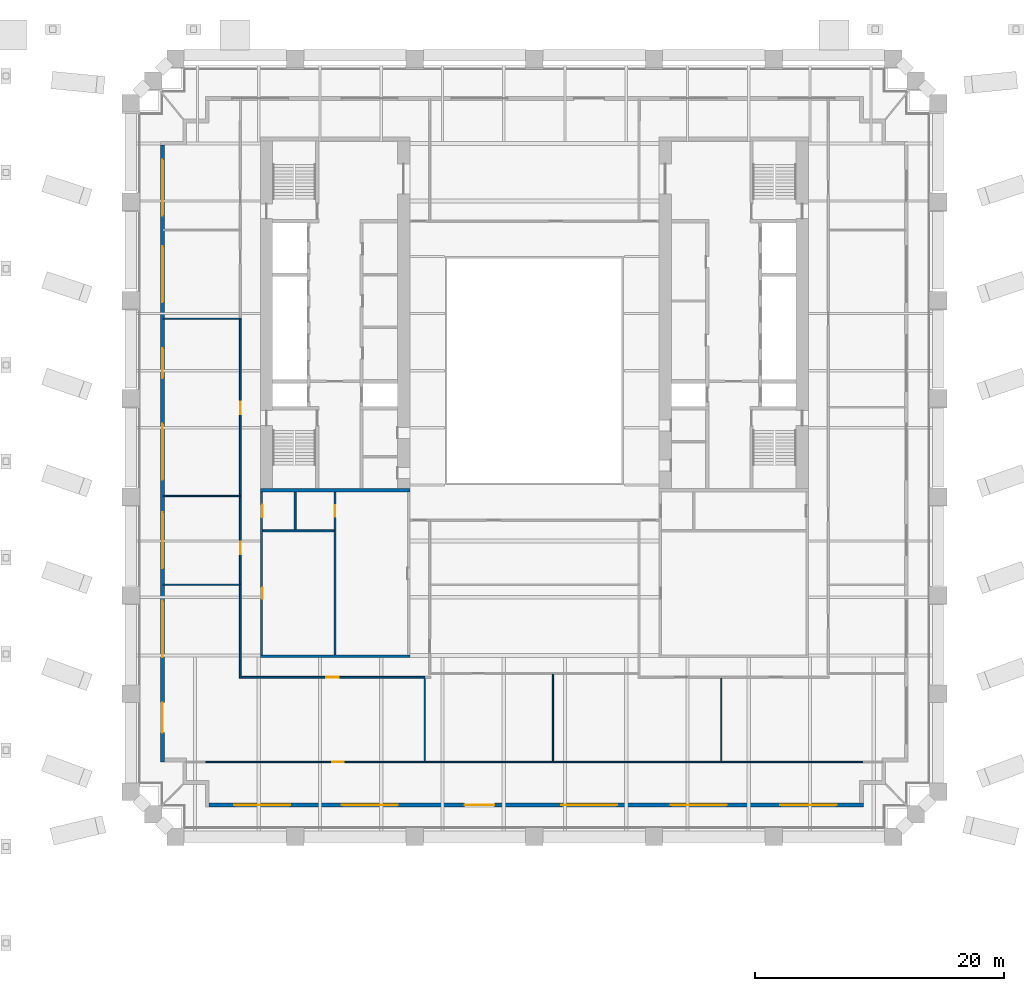
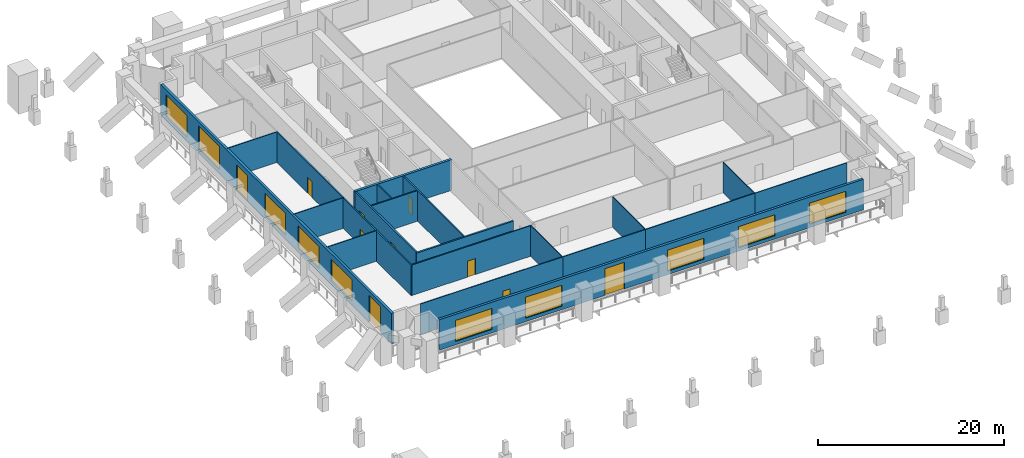
# One storey, part 3 of 10: 22 walls, 10 doors, 10 windows, 20 openings.
"""IFC4 building model written with IfcOpenShell, lengths in metres."""

from ifc_helpers import new_model, si_unit, direction, frame, frame_2d, origin, place, context, subcontext, project, spatial, rectangle, extrude, material, layer, layer_set, type_object, element, fill, save


model = new_model("IFC4")

# Units and contexts
model_context = context("Model", 3, precision=1e-05, world=origin(), true_north=direction((0.0, 1.0)))
body_context = subcontext(model_context, "Body", "Model", "MODEL_VIEW")
ifc_project = project(units=[si_unit("LENGTHUNIT", "METRE"), si_unit("AREAUNIT", "SQUARE_METRE"), si_unit("VOLUMEUNIT", "CUBIC_METRE"), si_unit("PLANEANGLEUNIT", "RADIAN"), si_unit("MASSUNIT", "GRAM", prefix="KILO")], contexts=[model_context])

# Site, building, storey
site_placement = place(None, origin())
site = spatial("IfcSite", under=ifc_project, at=site_placement, CompositionType="ELEMENT")
building_placement = place(site_placement, origin())
building = spatial("IfcBuilding", under=site, at=building_placement, Name="Ogive Exchange Tower", CompositionType="ELEMENT")
storey_placement = place(building_placement, frame((0.0, 0.0, 39.60009765625)))
storey = spatial("IfcBuildingStorey", under=building, at=storey_placement, Name="L07", CompositionType="ELEMENT", Elevation=39.60009765625)

# Wall, opening, door
ifc_material_1 = material(Name="Gypsum board partition")
ifc_layer_1 = layer(ifc_material_1, 0.14990234375)
ifc_layer_set_1 = layer_set([ifc_layer_1], Name="Core room partition 150 gypsum")
wall_type_1 = type_object("IfcWallType", Name="Core room partition 150 gypsum", PredefinedType="PARTITIONING", material=ifc_layer_set_1)
wall_1_placement = place(storey_placement, frame((-16.0, -15.800048828125, 0.0), z_axis=(0.0, 0.0, 1.0), x_axis=(0.0, 1.0, 0.0)))
wall_1 = element("IfcWall", 1, at=wall_1_placement, inside=storey, type_object=wall_type_1, Name="W annex S column wall", PredefinedType="PARTITIONING", context=body_context, shape_type="SweptSolid", body=[
    extrude(rectangle(XDim=13.050048828125, YDim=0.14990234375, at=frame_2d((6.52490234375, 0.0))), origin(), (0.0, 0.0, 1.0), 4.0),
])
opening_1_placement = place(wall_1_placement, frame((11.08740234375, 0.0, 0.0)))
opening_1 = element("IfcOpeningElement", 2, at=opening_1_placement, cuts=wall_1, Name="Opening L07-C22", PredefinedType="OPENING", context=body_context, shape_type="SweptSolid", body=[
    extrude(rectangle(XDim=0.89990234375, YDim=2.10009765625, at=frame_2d((0.449951171875, 1.050048828125))), frame((0.0, 0.0849609375, 0.0), z_axis=(0.0, -1.0, 0.0), x_axis=(1.0, 0.0, 0.0)), (0.0, 0.0, 1.0), 0.169921875),
])
ifc_material_2 = material(Name="Steel fire door", Category="steel")
door_type_1 = type_object("IfcDoorType", Name="Riser door FD60 900 x 2100", OperationType="NOTDEFINED", PredefinedType="DOOR", material=ifc_material_2)
door_1_placement = place(opening_1_placement, frame((0.89990234375, 0.0, 0.0), z_axis=(0.0, 0.0, 1.0), x_axis=(-1.0, 0.0, 0.0)))
door_1 = element("IfcDoor", 3, at=door_1_placement, inside=storey, type_object=door_type_1, Name="Riser door", ObjectType="CD2", OperationType="SINGLE_SWING_RIGHT", OverallHeight=2.10009765625, OverallWidth=0.89990234375, PredefinedType="DOOR", context=body_context, shape_type="SweptSolid", body=[
    extrude(rectangle(XDim=0.89990234375, YDim=2.10009765625, at=frame_2d((0.449951171875, 1.050048828125))), frame((0.0, 0.02490234375, 0.0), z_axis=(0.0, -1.0, 0.0), x_axis=(1.0, 0.0, 0.0)), (0.0, 0.0, 1.0), 0.050048828125),
])
fill(opening_1, door_1)

# Walls
wall_2_placement = place(storey_placement, frame((-21.800048828125, -5.85009765625, 0.0), z_axis=(0.0, 0.0, 1.0), x_axis=(1.0, 0.0, 0.0)))
element("IfcWall", 4, at=wall_2_placement, inside=storey, type_object=wall_type_1, Name="W annex S wc strip wall 00", PredefinedType="PARTITIONING", context=body_context, shape_type="SweptSolid", body=[
    extrude(rectangle(XDim=5.72509765625, YDim=0.14990234375, at=frame_2d((2.862548828125, 0.0))), origin(), (0.0, 0.0, 1.0), 4.0),
])
wall_3_placement = place(storey_placement, frame((-19.199951171875, -5.77490234375, 0.0), z_axis=(0.0, 0.0, 1.0), x_axis=(0.0, 1.0, 0.0)))
element("IfcWall", 5, at=wall_3_placement, inside=storey, type_object=wall_type_1, Name="W annex S wc partition 00", PredefinedType="PARTITIONING", context=body_context, shape_type="SweptSolid", body=[
    extrude(rectangle(XDim=3.02490234375, YDim=0.14990234375, at=frame_2d((1.512451171875, 0.0))), origin(), (0.0, 0.0, 1.0), 4.0),
])
ifc_material_3 = material(Name="Fire partition EI 60 150")
ifc_layer_2 = layer(ifc_material_3, 0.14990234375)
ifc_layer_set_2 = layer_set([ifc_layer_2], Name="Fire partition EI 60 150")
wall_type_2 = type_object("IfcWallType", Name="Fire partition EI 60 150", PredefinedType="PARTITIONING", material=ifc_layer_set_2)
wall_4_placement = place(storey_placement, frame((-23.60009765625, -17.675048828125, 0.0), z_axis=(0.0, 0.0, 1.0), x_axis=(0.0, 1.0, 0.0)))
element("IfcWall", 6, at=wall_4_placement, inside=storey, type_object=wall_type_2, Name="L07-PWL-006", PredefinedType="PARTITIONING", context=body_context, shape_type="SweptSolid", body=[
    extrude(rectangle(XDim=7.554931640625, YDim=0.14990234375, at=frame_2d((3.77734375, 0.0))), origin(), (0.0, 0.0, 1.0), 4.0),
])

# Wall, opening, door
wall_5_placement = place(storey_placement, frame((-23.60009765625, -10.1201171875, 0.0), z_axis=(0.0, 0.0, 1.0), x_axis=(0.0, 1.0, 0.0)))
wall_5 = element("IfcWall", 7, at=wall_5_placement, inside=storey, type_object=wall_type_2, Name="L07-PWL-008", PredefinedType="PARTITIONING", context=body_context, shape_type="SweptSolid", body=[
    extrude(rectangle(XDim=7.010009765625, YDim=0.14990234375, at=frame_2d((3.5048828125, 0.0))), origin(), (0.0, 0.0, 1.0), 4.0),
])
opening_2_placement = place(wall_5_placement, frame((2.409912109375, 0.0, 0.0)))
opening_2 = element("IfcOpeningElement", 8, at=opening_2_placement, cuts=wall_5, Name="Opening L07-I02", PredefinedType="OPENING", context=body_context, shape_type="SweptSolid", body=[
    extrude(rectangle(XDim=1.0, YDim=2.10009765625, at=frame_2d((0.5, 1.050048828125))), frame((0.0, 0.0849609375, 0.0), z_axis=(0.0, -1.0, 0.0), x_axis=(1.0, 0.0, 0.0)), (0.0, 0.0, 1.0), 0.169921875),
])
ifc_material_4 = material(Name="Fire door FD 30S 1000 x 2100")
door_type_2 = type_object("IfcDoorType", Name="Fire door FD 30S 1000 x 2100", OperationType="NOTDEFINED", PredefinedType="DOOR", material=ifc_material_4)
door_2_placement = place(opening_2_placement, origin())
door_2 = element("IfcDoor", 9, at=door_2_placement, inside=storey, type_object=door_type_2, Name="L07-IDR-002", ObjectType="DT3", OperationType="SINGLE_SWING_RIGHT", OverallHeight=2.10009765625, OverallWidth=1.0, PredefinedType="DOOR", context=body_context, shape_type="SweptSolid", body=[
    extrude(rectangle(XDim=1.0, YDim=2.10009765625, at=frame_2d((0.5, 1.050048828125))), frame((0.0, 0.02490234375, 0.0), z_axis=(0.0, -1.0, 0.0), x_axis=(1.0, 0.0, 0.0)), (0.0, 0.0, 1.0), 0.050048828125),
])
fill(opening_2, door_2)

wall_6_placement = place(storey_placement, frame((-23.60009765625, -3.010009765625, 0.0), z_axis=(0.0, 0.0, 1.0), x_axis=(0.0, 1.0, 0.0)))
wall_6 = element("IfcWall", 10, at=wall_6_placement, inside=storey, type_object=wall_type_2, Name="L07-PWL-009", PredefinedType="PARTITIONING", context=body_context, shape_type="SweptSolid", body=[
    extrude(rectangle(XDim=14.130126953125, YDim=0.14990234375, at=frame_2d((7.06494140625, 0.0))), origin(), (0.0, 0.0, 1.0), 4.0),
])
opening_3_placement = place(wall_6_placement, frame((6.530029296875, 0.0, 0.0)))
opening_3 = element("IfcOpeningElement", 11, at=opening_3_placement, cuts=wall_6, Name="Opening L07-I03", PredefinedType="OPENING", context=body_context, shape_type="SweptSolid", body=[
    extrude(rectangle(XDim=1.0, YDim=2.10009765625, at=frame_2d((0.5, 1.050048828125))), frame((0.0, 0.0849609375, 0.0), z_axis=(0.0, -1.0, 0.0), x_axis=(1.0, 0.0, 0.0)), (0.0, 0.0, 1.0), 0.169921875),
])
door_3_placement = place(opening_3_placement, origin())
door_3 = element("IfcDoor", 12, at=door_3_placement, inside=storey, type_object=door_type_2, Name="L07-IDR-003", ObjectType="DT3", OperationType="SINGLE_SWING_LEFT", OverallHeight=2.10009765625, OverallWidth=1.0, PredefinedType="DOOR", context=body_context, shape_type="SweptSolid", body=[
    extrude(rectangle(XDim=1.0, YDim=2.10009765625, at=frame_2d((0.5, 1.050048828125))), frame((0.0, 0.02490234375, 0.0), z_axis=(0.0, -1.0, 0.0), x_axis=(1.0, 0.0, 0.0)), (0.0, 0.0, 1.0), 0.050048828125),
])
fill(opening_3, door_3)

wall_7_placement = place(storey_placement, frame((-8.75, -17.60009765625, 0.0), z_axis=(0.0, 0.0, 1.0), x_axis=(-1.0, 0.0, 0.0)))
wall_7 = element("IfcWall", 13, at=wall_7_placement, inside=storey, type_object=wall_type_2, Name="L07-PWL-014", PredefinedType="PARTITIONING", context=body_context, shape_type="SweptSolid", body=[
    extrude(rectangle(XDim=14.77490234375, YDim=0.14990234375, at=frame_2d((7.387451171875, 0.0))), origin(), (0.0, 0.0, 1.0), 4.0),
])
opening_4_placement = place(wall_7_placement, frame((6.949951171875, 0.0, 0.0)))
opening_4 = element("IfcOpeningElement", 14, at=opening_4_placement, cuts=wall_7, Name="Opening L07-I11", PredefinedType="OPENING", context=body_context, shape_type="SweptSolid", body=[
    extrude(rectangle(XDim=1.0, YDim=2.10009765625, at=frame_2d((0.5, 1.050048828125))), frame((0.0, 0.0849609375, 0.0), z_axis=(0.0, -1.0, 0.0), x_axis=(1.0, 0.0, 0.0)), (0.0, 0.0, 1.0), 0.169921875),
])
door_4_placement = place(opening_4_placement, origin())
door_4 = element("IfcDoor", 15, at=door_4_placement, inside=storey, type_object=door_type_2, Name="L07-IDR-011", ObjectType="DT3", OperationType="SINGLE_SWING_RIGHT", OverallHeight=2.10009765625, OverallWidth=1.0, PredefinedType="DOOR", context=body_context, shape_type="SweptSolid", body=[
    extrude(rectangle(XDim=1.0, YDim=2.10009765625, at=frame_2d((0.5, 1.050048828125))), frame((0.0, 0.02490234375, 0.0), z_axis=(0.0, -1.0, 0.0), x_axis=(1.0, 0.0, 0.0)), (0.0, 0.0, 1.0), 0.050048828125),
])
fill(opening_4, door_4)

# Wall, openings, door, windows
ifc_material_5 = material(Name="Precast concrete C40/50", Category="concrete")
ifc_layer_3 = layer(ifc_material_5, 0.300048828125)
ifc_layer_set_3 = layer_set([ifc_layer_3], Name="Limestone-faced wall 300")
wall_type_3 = type_object("IfcWallType", Name="Limestone-faced wall 300", PredefinedType="STANDARD", material=ifc_layer_set_3)
wall_8_placement = place(storey_placement, frame((-26.10009765625, -27.85009765625, 0.0), z_axis=(0.0, 0.0, 1.0), x_axis=(1.0, 0.0, 0.0)))
wall_8 = element("IfcWall", 16, at=wall_8_placement, inside=storey, type_object=wall_type_3, Name="External wall S1", PredefinedType="STANDARD", context=body_context, shape_type="SweptSolid", body=[
    extrude(rectangle(XDim=52.5, YDim=0.300048828125, at=frame_2d((26.25, 0.0))), origin(), (0.0, 0.0, 1.0), 4.0),
])
opening_5_placement = place(wall_8_placement, frame((2.0, 0.0, 0.449951171875)))
opening_5 = element("IfcOpeningElement", 17, at=opening_5_placement, cuts=wall_8, Name="Opening W1H", PredefinedType="OPENING", context=body_context, shape_type="SweptSolid", body=[
    extrude(rectangle(XDim=4.5, YDim=2.75, at=frame_2d((2.25, 1.375))), frame((0.0, 0.159912109375, 0.0), z_axis=(0.0, -1.0, 0.0), x_axis=(1.0, 0.0, 0.0)), (0.0, 0.0, 1.0), 0.320068359375),
])
opening_6_placement = place(wall_8_placement, frame((10.64990234375, 0.0, 0.449951171875)))
opening_6 = element("IfcOpeningElement", 18, at=opening_6_placement, cuts=wall_8, Name="Opening W1H", PredefinedType="OPENING", context=body_context, shape_type="SweptSolid", body=[
    extrude(rectangle(XDim=4.5, YDim=2.75, at=frame_2d((2.25, 1.375))), frame((0.0, 0.159912109375, 0.0), z_axis=(0.0, -1.0, 0.0), x_axis=(1.0, 0.0, 0.0)), (0.0, 0.0, 1.0), 0.320068359375),
])
opening_7_placement = place(wall_8_placement, frame((20.5, 0.0, 0.0)))
opening_7 = element("IfcOpeningElement", 19, at=opening_7_placement, cuts=wall_8, Name="Opening D1", PredefinedType="OPENING", context=body_context, shape_type="SweptSolid", body=[
    extrude(rectangle(XDim=2.39990234375, YDim=3.5, at=frame_2d((1.199951171875, 1.75))), frame((0.0, 0.159912109375, 0.0), z_axis=(0.0, -1.0, 0.0), x_axis=(1.0, 0.0, 0.0)), (0.0, 0.0, 1.0), 0.320068359375),
])
opening_8_placement = place(wall_8_placement, frame((28.25, 0.0, 0.449951171875)))
opening_8 = element("IfcOpeningElement", 20, at=opening_8_placement, cuts=wall_8, Name="Opening W1H", PredefinedType="OPENING", context=body_context, shape_type="SweptSolid", body=[
    extrude(rectangle(XDim=4.5, YDim=2.75, at=frame_2d((2.25, 1.375))), frame((0.0, 0.159912109375, 0.0), z_axis=(0.0, -1.0, 0.0), x_axis=(1.0, 0.0, 0.0)), (0.0, 0.0, 1.0), 0.320068359375),
])
opening_9_placement = place(wall_8_placement, frame((37.050048828125, 0.0, 0.449951171875)))
opening_9 = element("IfcOpeningElement", 21, at=opening_9_placement, cuts=wall_8, Name="Opening W1H", PredefinedType="OPENING", context=body_context, shape_type="SweptSolid", body=[
    extrude(rectangle(XDim=4.5, YDim=2.75, at=frame_2d((2.25, 1.375))), frame((0.0, 0.159912109375, 0.0), z_axis=(0.0, -1.0, 0.0), x_axis=(1.0, 0.0, 0.0)), (0.0, 0.0, 1.0), 0.320068359375),
])
opening_10_placement = place(wall_8_placement, frame((45.85009765625, 0.0, 0.449951171875)))
opening_10 = element("IfcOpeningElement", 22, at=opening_10_placement, cuts=wall_8, Name="Opening W1H", PredefinedType="OPENING", context=body_context, shape_type="SweptSolid", body=[
    extrude(rectangle(XDim=4.5, YDim=2.75, at=frame_2d((2.25, 1.375))), frame((0.0, 0.159912109375, 0.0), z_axis=(0.0, -1.0, 0.0), x_axis=(1.0, 0.0, 0.0)), (0.0, 0.0, 1.0), 0.320068359375),
])
ifc_material_6 = material(Name="Clear glass in bronze frame", Category="glass")
door_type_3 = type_object("IfcDoorType", Name="Sliding loggia door 2400 x 3500", OperationType="DOUBLE_DOOR_SLIDING", PredefinedType="DOOR", material=ifc_material_6)
door_5_placement = place(opening_7_placement, origin())
door_5 = element("IfcDoor", 23, at=door_5_placement, inside=storey, type_object=door_type_3, Name="Loggia door S02", OperationType="DOUBLE_DOOR_SLIDING", OverallHeight=3.5, OverallWidth=2.39990234375, PredefinedType="DOOR", context=body_context, shape_type="SweptSolid", body=[
    extrude(rectangle(XDim=2.39990234375, YDim=3.5, at=frame_2d((1.199951171875, 1.75))), frame((0.0, 0.02490234375, 0.0), z_axis=(0.0, -1.0, 0.0), x_axis=(1.0, 0.0, 0.0)), (0.0, 0.0, 1.0), 0.050048828125),
])
fill(opening_7, door_5)
window_type_1 = type_object("IfcWindowType", Name="Twin lancet window 4500 x 2750", PartitioningType="DOUBLE_PANEL_VERTICAL", PredefinedType="WINDOW", material=ifc_material_6)
window_1_placement = place(opening_5_placement, origin())
window_1 = element("IfcWindow", 24, at=window_1_placement, inside=storey, type_object=window_type_1, Name="Window S00", OverallHeight=2.75, OverallWidth=4.5, PartitioningType="DOUBLE_PANEL_VERTICAL", PredefinedType="WINDOW", context=body_context, shape_type="SweptSolid", body=[
    extrude(rectangle(XDim=4.5, YDim=2.75, at=frame_2d((2.25, 1.375))), frame((0.0, 0.030029296875, 0.0), z_axis=(0.0, -1.0, 0.0), x_axis=(1.0, 0.0, 0.0)), (0.0, 0.0, 1.0), 0.06005859375),
])
fill(opening_5, window_1)
window_2_placement = place(opening_6_placement, origin())
window_2 = element("IfcWindow", 25, at=window_2_placement, inside=storey, type_object=window_type_1, Name="Window S01", OverallHeight=2.75, OverallWidth=4.5, PartitioningType="DOUBLE_PANEL_VERTICAL", PredefinedType="WINDOW", context=body_context, shape_type="SweptSolid", body=[
    extrude(rectangle(XDim=4.5, YDim=2.75, at=frame_2d((2.25, 1.375))), frame((0.0, 0.030029296875, 0.0), z_axis=(0.0, -1.0, 0.0), x_axis=(1.0, 0.0, 0.0)), (0.0, 0.0, 1.0), 0.06005859375),
])
fill(opening_6, window_2)
window_3_placement = place(opening_8_placement, origin())
window_3 = element("IfcWindow", 26, at=window_3_placement, inside=storey, type_object=window_type_1, Name="Window S03", OverallHeight=2.75, OverallWidth=4.5, PartitioningType="DOUBLE_PANEL_VERTICAL", PredefinedType="WINDOW", context=body_context, shape_type="SweptSolid", body=[
    extrude(rectangle(XDim=4.5, YDim=2.75, at=frame_2d((2.25, 1.375))), frame((0.0, 0.030029296875, 0.0), z_axis=(0.0, -1.0, 0.0), x_axis=(1.0, 0.0, 0.0)), (0.0, 0.0, 1.0), 0.06005859375),
])
fill(opening_8, window_3)
window_4_placement = place(opening_9_placement, origin())
window_4 = element("IfcWindow", 27, at=window_4_placement, inside=storey, type_object=window_type_1, Name="Window S04", OverallHeight=2.75, OverallWidth=4.5, PartitioningType="DOUBLE_PANEL_VERTICAL", PredefinedType="WINDOW", context=body_context, shape_type="SweptSolid", body=[
    extrude(rectangle(XDim=4.5, YDim=2.75, at=frame_2d((2.25, 1.375))), frame((0.0, 0.030029296875, 0.0), z_axis=(0.0, -1.0, 0.0), x_axis=(1.0, 0.0, 0.0)), (0.0, 0.0, 1.0), 0.06005859375),
])
fill(opening_9, window_4)
window_5_placement = place(opening_10_placement, origin())
window_5 = element("IfcWindow", 28, at=window_5_placement, inside=storey, type_object=window_type_1, Name="Window S05", OverallHeight=2.75, OverallWidth=4.5, PartitioningType="DOUBLE_PANEL_VERTICAL", PredefinedType="WINDOW", context=body_context, shape_type="SweptSolid", body=[
    extrude(rectangle(XDim=4.5, YDim=2.75, at=frame_2d((2.25, 1.375))), frame((0.0, 0.030029296875, 0.0), z_axis=(0.0, -1.0, 0.0), x_axis=(1.0, 0.0, 0.0)), (0.0, 0.0, 1.0), 0.06005859375),
])
fill(opening_10, window_5)

# Wall, openings, doors, windows
wall_9_placement = place(storey_placement, frame((-29.85009765625, 25.10009765625, 0.0), z_axis=(0.0, 0.0, 1.0), x_axis=(0.0, -1.0, 0.0)))
wall_9 = element("IfcWall", 29, at=wall_9_placement, inside=storey, type_object=wall_type_3, Name="External wall W4", PredefinedType="STANDARD", context=body_context, shape_type="SweptSolid", body=[
    extrude(rectangle(XDim=49.5, YDim=0.300048828125, at=frame_2d((24.75, 0.0))), origin(), (0.0, 0.0, 1.0), 4.0),
])
opening_11_placement = place(wall_9_placement, frame((1.156982421875, 0.0, 0.449951171875)))
opening_11 = element("IfcOpeningElement", 30, at=opening_11_placement, cuts=wall_9, Name="Opening W1D", PredefinedType="OPENING", context=body_context, shape_type="SweptSolid", body=[
    extrude(rectangle(XDim=4.5, YDim=2.875, at=frame_2d((2.25, 1.4375))), frame((0.0, 0.159912109375, 0.0), z_axis=(0.0, -1.0, 0.0), x_axis=(1.0, 0.0, 0.0)), (0.0, 0.0, 1.0), 0.320068359375),
])
opening_12_placement = place(wall_9_placement, frame((8.121337890625, 0.0, 0.449951171875)))
opening_12 = element("IfcOpeningElement", 31, at=opening_12_placement, cuts=wall_9, Name="Opening W1", PredefinedType="OPENING", context=body_context, shape_type="SweptSolid", body=[
    extrude(rectangle(XDim=4.5, YDim=3.050048828125, at=frame_2d((2.25, 1.52490234375))), frame((0.0, 0.159912109375, 0.0), z_axis=(0.0, -1.0, 0.0), x_axis=(1.0, 0.0, 0.0)), (0.0, 0.0, 1.0), 0.320068359375),
])
opening_13_placement = place(wall_9_placement, frame((16.28564453125, 0.0, 0.0)))
opening_13 = element("IfcOpeningElement", 32, at=opening_13_placement, cuts=wall_9, Name="Opening D1C", PredefinedType="OPENING", context=body_context, shape_type="SweptSolid", body=[
    extrude(rectangle(XDim=2.39990234375, YDim=3.324951171875, at=frame_2d((1.199951171875, 1.66259765625))), frame((0.0, 0.159912109375, 0.0), z_axis=(0.0, -1.0, 0.0), x_axis=(1.0, 0.0, 0.0)), (0.0, 0.0, 1.0), 0.320068359375),
])
opening_14_placement = place(wall_9_placement, frame((22.35009765625, 0.0, 0.449951171875)))
opening_14 = element("IfcOpeningElement", 33, at=opening_14_placement, cuts=wall_9, Name="Opening W1D", PredefinedType="OPENING", context=body_context, shape_type="SweptSolid", body=[
    extrude(rectangle(XDim=4.5, YDim=2.875, at=frame_2d((2.25, 1.4375))), frame((0.0, 0.159912109375, 0.0), z_axis=(0.0, -1.0, 0.0), x_axis=(1.0, 0.0, 0.0)), (0.0, 0.0, 1.0), 0.320068359375),
])
opening_15_placement = place(wall_9_placement, frame((29.464111328125, 0.0, 0.449951171875)))
opening_15 = element("IfcOpeningElement", 34, at=opening_15_placement, cuts=wall_9, Name="Opening W1D", PredefinedType="OPENING", context=body_context, shape_type="SweptSolid", body=[
    extrude(rectangle(XDim=4.5, YDim=2.875, at=frame_2d((2.25, 1.4375))), frame((0.0, 0.159912109375, 0.0), z_axis=(0.0, -1.0, 0.0), x_axis=(1.0, 0.0, 0.0)), (0.0, 0.0, 1.0), 0.320068359375),
])
opening_16_placement = place(wall_9_placement, frame((36.57861328125, 0.0, 0.449951171875)))
opening_16 = element("IfcOpeningElement", 35, at=opening_16_placement, cuts=wall_9, Name="Opening W1E", PredefinedType="OPENING", context=body_context, shape_type="SweptSolid", body=[
    extrude(rectangle(XDim=4.5, YDim=2.824951171875, at=frame_2d((2.25, 1.41259765625))), frame((0.0, 0.159912109375, 0.0), z_axis=(0.0, -1.0, 0.0), x_axis=(1.0, 0.0, 0.0)), (0.0, 0.0, 1.0), 0.320068359375),
])
opening_17_placement = place(wall_9_placement, frame((44.742919921875, 0.0, 0.0)))
opening_17 = element("IfcOpeningElement", 36, at=opening_17_placement, cuts=wall_9, Name="Opening D1", PredefinedType="OPENING", context=body_context, shape_type="SweptSolid", body=[
    extrude(rectangle(XDim=2.39990234375, YDim=3.5, at=frame_2d((1.199951171875, 1.75))), frame((0.0, 0.159912109375, 0.0), z_axis=(0.0, -1.0, 0.0), x_axis=(1.0, 0.0, 0.0)), (0.0, 0.0, 1.0), 0.320068359375),
])
door_type_4 = type_object("IfcDoorType", Name="Sliding loggia door 2400 x 3325", OperationType="DOUBLE_DOOR_SLIDING", PredefinedType="DOOR", material=ifc_material_6)
door_6_placement = place(opening_13_placement, origin())
door_6 = element("IfcDoor", 37, at=door_6_placement, inside=storey, type_object=door_type_4, Name="Loggia door W02", OperationType="DOUBLE_DOOR_SLIDING", OverallHeight=3.324951171875, OverallWidth=2.39990234375, PredefinedType="DOOR", context=body_context, shape_type="SweptSolid", body=[
    extrude(rectangle(XDim=2.39990234375, YDim=3.324951171875, at=frame_2d((1.199951171875, 1.66259765625))), frame((0.0, 0.02490234375, 0.0), z_axis=(0.0, -1.0, 0.0), x_axis=(1.0, 0.0, 0.0)), (0.0, 0.0, 1.0), 0.050048828125),
])
fill(opening_13, door_6)
door_7_placement = place(opening_17_placement, origin())
door_7 = element("IfcDoor", 38, at=door_7_placement, inside=storey, type_object=door_type_3, Name="Loggia door W06", OperationType="DOUBLE_DOOR_SLIDING", OverallHeight=3.5, OverallWidth=2.39990234375, PredefinedType="DOOR", context=body_context, shape_type="SweptSolid", body=[
    extrude(rectangle(XDim=2.39990234375, YDim=3.5, at=frame_2d((1.199951171875, 1.75))), frame((0.0, 0.02490234375, 0.0), z_axis=(0.0, -1.0, 0.0), x_axis=(1.0, 0.0, 0.0)), (0.0, 0.0, 1.0), 0.050048828125),
])
fill(opening_17, door_7)
window_type_2 = type_object("IfcWindowType", Name="Twin lancet window 4500 x 2825", PartitioningType="DOUBLE_PANEL_VERTICAL", PredefinedType="WINDOW", material=ifc_material_6)
window_6_placement = place(opening_16_placement, origin())
window_6 = element("IfcWindow", 39, at=window_6_placement, inside=storey, type_object=window_type_2, Name="Window W05", OverallHeight=2.824951171875, OverallWidth=4.5, PartitioningType="DOUBLE_PANEL_VERTICAL", PredefinedType="WINDOW", context=body_context, shape_type="SweptSolid", body=[
    extrude(rectangle(XDim=4.5, YDim=2.824951171875, at=frame_2d((2.25, 1.41259765625))), frame((0.0, 0.030029296875, 0.0), z_axis=(0.0, -1.0, 0.0), x_axis=(1.0, 0.0, 0.0)), (0.0, 0.0, 1.0), 0.06005859375),
])
fill(opening_16, window_6)
window_type_3 = type_object("IfcWindowType", Name="Twin lancet window 4500 x 2875", PartitioningType="DOUBLE_PANEL_VERTICAL", PredefinedType="WINDOW", material=ifc_material_6)
window_7_placement = place(opening_11_placement, origin())
window_7 = element("IfcWindow", 40, at=window_7_placement, inside=storey, type_object=window_type_3, Name="Window W00", OverallHeight=2.875, OverallWidth=4.5, PartitioningType="DOUBLE_PANEL_VERTICAL", PredefinedType="WINDOW", context=body_context, shape_type="SweptSolid", body=[
    extrude(rectangle(XDim=4.5, YDim=2.875, at=frame_2d((2.25, 1.4375))), frame((0.0, 0.030029296875, 0.0), z_axis=(0.0, -1.0, 0.0), x_axis=(1.0, 0.0, 0.0)), (0.0, 0.0, 1.0), 0.06005859375),
])
fill(opening_11, window_7)
window_8_placement = place(opening_14_placement, origin())
window_8 = element("IfcWindow", 41, at=window_8_placement, inside=storey, type_object=window_type_3, Name="Window W03", OverallHeight=2.875, OverallWidth=4.5, PartitioningType="DOUBLE_PANEL_VERTICAL", PredefinedType="WINDOW", context=body_context, shape_type="SweptSolid", body=[
    extrude(rectangle(XDim=4.5, YDim=2.875, at=frame_2d((2.25, 1.4375))), frame((0.0, 0.030029296875, 0.0), z_axis=(0.0, -1.0, 0.0), x_axis=(1.0, 0.0, 0.0)), (0.0, 0.0, 1.0), 0.06005859375),
])
fill(opening_14, window_8)
window_9_placement = place(opening_15_placement, origin())
window_9 = element("IfcWindow", 42, at=window_9_placement, inside=storey, type_object=window_type_3, Name="Window W04", OverallHeight=2.875, OverallWidth=4.5, PartitioningType="DOUBLE_PANEL_VERTICAL", PredefinedType="WINDOW", context=body_context, shape_type="SweptSolid", body=[
    extrude(rectangle(XDim=4.5, YDim=2.875, at=frame_2d((2.25, 1.4375))), frame((0.0, 0.030029296875, 0.0), z_axis=(0.0, -1.0, 0.0), x_axis=(1.0, 0.0, 0.0)), (0.0, 0.0, 1.0), 0.06005859375),
])
fill(opening_15, window_9)
window_type_4 = type_object("IfcWindowType", Name="Twin lancet window 4500 x 3050", PartitioningType="DOUBLE_PANEL_VERTICAL", PredefinedType="WINDOW", material=ifc_material_6)
window_10_placement = place(opening_12_placement, origin())
window_10 = element("IfcWindow", 43, at=window_10_placement, inside=storey, type_object=window_type_4, Name="Window W01", OverallHeight=3.050048828125, OverallWidth=4.5, PartitioningType="DOUBLE_PANEL_VERTICAL", PredefinedType="WINDOW", context=body_context, shape_type="SweptSolid", body=[
    extrude(rectangle(XDim=4.5, YDim=3.050048828125, at=frame_2d((2.25, 1.52490234375))), frame((0.0, 0.030029296875, 0.0), z_axis=(0.0, -1.0, 0.0), x_axis=(1.0, 0.0, 0.0)), (0.0, 0.0, 1.0), 0.06005859375),
])
fill(opening_12, window_10)

# Walls
ifc_material_7 = material(Name="Partition 100 gypsum")
ifc_layer_4 = layer(ifc_material_7, 0.10009765625)
ifc_layer_set_4 = layer_set([ifc_layer_4], Name="Partition 100 gypsum")
wall_type_4 = type_object("IfcWallType", Name="Partition 100 gypsum", PredefinedType="PARTITIONING", material=ifc_layer_set_4)
for number, where, z_axis, x_axis, name in (
    (44, (-29.800048828125, -3.06005859375, 0.0), (0.0, 0.0, 1.0), (1.0, 0.0, 0.0), "L07-PWL-001"),
    (45, (-29.800048828125, 11.169921875, 0.0), (0.0, 0.0, 1.0), (1.0, 0.0, 0.0), "L07-PWL-002"),
):
    element("IfcWall", number, at=place(storey_placement, frame(where, z_axis=z_axis, x_axis=x_axis)), inside=storey, type_object=wall_type_4, Name=name, PredefinedType="PARTITIONING", context=body_context, shape_type="SweptSolid", body=[
        extrude(rectangle(XDim=6.275146484375, YDim=0.10009765625, at=frame_2d((3.1376953125, 0.0))), origin(), (0.0, 0.0, 1.0), 4.0),
    ])

# Wall, opening, door
wall_10_placement = place(storey_placement, frame((-26.409912109375, -24.39990234375, 0.0), z_axis=(0.0, 0.0, 1.0), x_axis=(1.0, 0.0, 0.0)))
wall_10 = element("IfcWall", 46, at=wall_10_placement, inside=storey, type_object=wall_type_4, Name="L07-PWL-005", PredefinedType="PARTITIONING", context=body_context, shape_type="SweptSolid", body=[
    extrude(rectangle(XDim=17.659912109375, YDim=0.10009765625, at=frame_2d((8.830078125, 0.0))), origin(), (0.0, 0.0, 1.0), 4.0),
])
opening_18_placement = place(wall_10_placement, frame((10.199951171875, 0.0, 0.0)))
opening_18 = element("IfcOpeningElement", 47, at=opening_18_placement, cuts=wall_10, Name="Opening L07-I10", PredefinedType="OPENING", context=body_context, shape_type="SweptSolid", body=[
    extrude(rectangle(XDim=0.89990234375, YDim=2.10009765625, at=frame_2d((0.449951171875, 1.050048828125))), frame((0.0, 0.06005859375, 0.0), z_axis=(0.0, -1.0, 0.0), x_axis=(1.0, 0.0, 0.0)), (0.0, 0.0, 1.0), 0.1201171875),
])
ifc_material_8 = material(Name="Door 900 x 2100")
door_type_5 = type_object("IfcDoorType", Name="Door 900 x 2100", OperationType="NOTDEFINED", PredefinedType="DOOR", material=ifc_material_8)
door_8_placement = place(opening_18_placement, frame((0.89990234375, 0.0, 0.0), z_axis=(0.0, 0.0, 1.0), x_axis=(-1.0, 0.0, 0.0)))
door_8 = element("IfcDoor", 48, at=door_8_placement, inside=storey, type_object=door_type_5, Name="L07-IDR-010", ObjectType="DT1", OperationType="SINGLE_SWING_LEFT", OverallHeight=2.10009765625, OverallWidth=0.89990234375, PredefinedType="DOOR", context=body_context, shape_type="SweptSolid", body=[
    extrude(rectangle(XDim=0.89990234375, YDim=2.10009765625, at=frame_2d((0.449951171875, 1.050048828125))), frame((0.0, 0.02490234375, 0.0), z_axis=(0.0, -1.0, 0.0), x_axis=(1.0, 0.0, 0.0)), (0.0, 0.0, 1.0), 0.050048828125),
])
fill(opening_18, door_8)

# Walls
wall_11_placement = place(storey_placement, frame((-23.675048828125, -10.169921875, 0.0), z_axis=(0.0, 0.0, 1.0), x_axis=(-1.0, 0.0, 0.0)))
element("IfcWall", 49, at=wall_11_placement, inside=storey, type_object=wall_type_4, Name="L07-PWL-007", PredefinedType="PARTITIONING", context=body_context, shape_type="SweptSolid", body=[
    extrude(rectangle(XDim=6.125, YDim=0.10009765625, at=frame_2d((3.0625, 0.0))), origin(), (0.0, 0.0, 1.0), 4.0),
])
wall_12_placement = place(storey_placement, frame((-8.75, -24.39990234375, 0.0), z_axis=(0.0, 0.0, 1.0), x_axis=(1.0, 0.0, 0.0)))
element("IfcWall", 50, at=wall_12_placement, inside=storey, type_object=wall_type_4, Name="L07-PWL-013", PredefinedType="PARTITIONING", context=body_context, shape_type="SweptSolid", body=[
    extrude(rectangle(XDim=10.199951171875, YDim=0.10009765625, at=frame_2d((5.10009765625, 0.0))), origin(), (0.0, 0.0, 1.0), 4.0),
])
wall_13_placement = place(storey_placement, frame((-8.800048828125, -17.675048828125, 0.0), z_axis=(0.0, 0.0, 1.0), x_axis=(0.0, -1.0, 0.0)))
element("IfcWall", 51, at=wall_13_placement, inside=storey, type_object=wall_type_4, Name="L07-PWL-015", PredefinedType="PARTITIONING", context=body_context, shape_type="SweptSolid", body=[
    extrude(rectangle(XDim=6.675048828125, YDim=0.10009765625, at=frame_2d((3.33740234375, 0.0))), origin(), (0.0, 0.0, 1.0), 4.0),
])
wall_14_placement = place(storey_placement, frame((1.449951171875, -24.39990234375, 0.0), z_axis=(0.0, 0.0, 1.0), x_axis=(1.0, 0.0, 0.0)))
element("IfcWall", 52, at=wall_14_placement, inside=storey, type_object=wall_type_4, Name="L07-PWL-022", PredefinedType="PARTITIONING", context=body_context, shape_type="SweptSolid", body=[
    extrude(rectangle(XDim=13.60009765625, YDim=0.10009765625, at=frame_2d((6.800048828125, 0.0))), origin(), (0.0, 0.0, 1.0), 4.0),
])
wall_15_placement = place(storey_placement, frame((1.5, -17.340087890625, 0.0), z_axis=(0.0, 0.0, 1.0), x_axis=(0.0, -1.0, 0.0)))
element("IfcWall", 53, at=wall_15_placement, inside=storey, type_object=wall_type_4, Name="L07-PWL-024", PredefinedType="PARTITIONING", context=body_context, shape_type="SweptSolid", body=[
    extrude(rectangle(XDim=7.010009765625, YDim=0.10009765625, at=frame_2d((3.5048828125, 0.0))), origin(), (0.0, 0.0, 1.0), 4.0),
])
wall_16_placement = place(storey_placement, frame((15.050048828125, -24.39990234375, 0.0), z_axis=(0.0, 0.0, 1.0), x_axis=(1.0, 0.0, 0.0)))
element("IfcWall", 54, at=wall_16_placement, inside=storey, type_object=wall_type_4, Name="L07-PWL-033", PredefinedType="PARTITIONING", context=body_context, shape_type="SweptSolid", body=[
    extrude(rectangle(XDim=11.35986328125, YDim=0.10009765625, at=frame_2d((5.679931640625, 0.0))), origin(), (0.0, 0.0, 1.0), 4.0),
])
wall_17_placement = place(storey_placement, frame((15.0, -17.675048828125, 0.0), z_axis=(0.0, 0.0, 1.0), x_axis=(0.0, -1.0, 0.0)))
element("IfcWall", 55, at=wall_17_placement, inside=storey, type_object=wall_type_4, Name="L07-PWL-035", PredefinedType="PARTITIONING", context=body_context, shape_type="SweptSolid", body=[
    extrude(rectangle(XDim=6.675048828125, YDim=0.10009765625, at=frame_2d((3.33740234375, 0.0))), origin(), (0.0, 0.0, 1.0), 4.0),
])

# Wall, openings, doors
ifc_material_9 = material(Name="Concrete C70/85", Category="concrete")
ifc_layer_5 = layer(ifc_material_9, 0.199951171875)
ifc_layer_set_5 = layer_set([ifc_layer_5], Name="RC core wall 200 C70/85")
wall_type_5 = type_object("IfcWallType", Name="RC core wall 200 C70/85", PredefinedType="SHEAR", material=ifc_layer_set_5)
wall_18_placement = place(storey_placement, frame((-21.89990234375, -15.800048828125, 0.0), z_axis=(0.0, 0.0, 1.0), x_axis=(0.0, 1.0, 0.0)))
wall_18 = element("IfcWall", 56, at=wall_18_placement, inside=storey, type_object=wall_type_5, Name="W annex S outer wall", PredefinedType="SHEAR", context=body_context, shape_type="SweptSolid", body=[
    extrude(rectangle(XDim=13.050048828125, YDim=0.199951171875, at=frame_2d((6.52490234375, 0.0))), origin(), (0.0, 0.0, 1.0), 4.0),
])
opening_19_placement = place(wall_18_placement, frame((4.487548828125, 0.0, 0.0)))
opening_19 = element("IfcOpeningElement", 57, at=opening_19_placement, cuts=wall_18, Name="Opening L07-C20", PredefinedType="OPENING", context=body_context, shape_type="SweptSolid", body=[
    extrude(rectangle(XDim=0.89990234375, YDim=2.10009765625, at=frame_2d((0.449951171875, 1.050048828125))), frame((0.0, 0.10986328125, 0.0), z_axis=(0.0, -1.0, 0.0), x_axis=(1.0, 0.0, 0.0)), (0.0, 0.0, 1.0), 0.219970703125),
])
opening_20_placement = place(wall_18_placement, frame((11.03759765625, 0.0, 0.0)))
opening_20 = element("IfcOpeningElement", 58, at=opening_20_placement, cuts=wall_18, Name="Opening L07-C21", PredefinedType="OPENING", context=body_context, shape_type="SweptSolid", body=[
    extrude(rectangle(XDim=1.0, YDim=2.10009765625, at=frame_2d((0.5, 1.050048828125))), frame((0.0, 0.10986328125, 0.0), z_axis=(0.0, -1.0, 0.0), x_axis=(1.0, 0.0, 0.0)), (0.0, 0.0, 1.0), 0.219970703125),
])
ifc_material_10 = material(Name="Timber fire door", Category="wood")
door_type_6 = type_object("IfcDoorType", Name="Accessible WC door FD30S 1000 x 2100", OperationType="NOTDEFINED", PredefinedType="DOOR", material=ifc_material_10)
door_9_placement = place(opening_20_placement, frame((1.0, -0.14990234375, 0.0), z_axis=(0.0, 0.0, 1.0), x_axis=(-1.0, 0.0, 0.0)))
door_9 = element("IfcDoor", 59, at=door_9_placement, inside=storey, type_object=door_type_6, Name="Accessible WC door", ObjectType="CD7", OperationType="SINGLE_SWING_RIGHT", OverallHeight=2.10009765625, OverallWidth=1.0, PredefinedType="DOOR", context=body_context, shape_type="SweptSolid", body=[
    extrude(rectangle(XDim=1.0, YDim=2.10009765625, at=frame_2d((0.5, 1.050048828125))), frame((0.0, -0.0498046875, 0.0), z_axis=(0.0, -1.0, 0.0), x_axis=(1.0, 0.0, 0.0)), (0.0, 0.0, 1.0), 0.050048828125),
])
fill(opening_20, door_9)
door_10_placement = place(opening_19_placement, frame((0.89990234375, -0.14990234375, 0.0), z_axis=(0.0, 0.0, 1.0), x_axis=(-1.0, 0.0, 0.0)))
door_10 = element("IfcDoor", 60, at=door_10_placement, inside=storey, type_object=door_type_1, Name="Riser door", ObjectType="CD2", OperationType="SINGLE_SWING_RIGHT", OverallHeight=2.10009765625, OverallWidth=0.89990234375, PredefinedType="DOOR", context=body_context, shape_type="SweptSolid", body=[
    extrude(rectangle(XDim=0.89990234375, YDim=2.10009765625, at=frame_2d((0.449951171875, 1.050048828125))), frame((0.0, -0.0498046875, 0.0), z_axis=(0.0, -1.0, 0.0), x_axis=(1.0, 0.0, 0.0)), (0.0, 0.0, 1.0), 0.050048828125),
])
fill(opening_19, door_10)

# Walls
wall_19_placement = place(storey_placement, frame((-22.0, -15.89990234375, 0.0), z_axis=(0.0, 0.0, 1.0), x_axis=(1.0, 0.0, 0.0)))
element("IfcWall", 61, at=wall_19_placement, inside=storey, type_object=wall_type_5, Name="W annex S end wall", PredefinedType="SHEAR", context=body_context, shape_type="SweptSolid", body=[
    extrude(rectangle(XDim=12.0, YDim=0.199951171875, at=frame_2d((6.0, 0.0))), origin(), (0.0, 0.0, 1.0), 4.0),
])
ifc_layer_6 = layer(ifc_material_9, 0.300048828125)
ifc_layer_set_6 = layer_set([ifc_layer_6], Name="RC core wall 300 C70/85")
wall_type_6 = type_object("IfcWallType", Name="RC core wall 300 C70/85", PredefinedType="SHEAR", material=ifc_layer_set_6)
wall_20_placement = place(storey_placement, frame((-22.0, -2.60009765625, 0.0), z_axis=(0.0, 0.0, 1.0), x_axis=(1.0, 0.0, 0.0)))
element("IfcWall", 62, at=wall_20_placement, inside=storey, type_object=wall_type_6, Name="W south end wall", PredefinedType="SHEAR", context=body_context, shape_type="SweptSolid", body=[
    extrude(rectangle(XDim=12.0, YDim=0.300048828125, at=frame_2d((6.0, 0.0))), origin(), (0.0, 0.0, 1.0), 4.0),
])

save(model, "model.ifc")
